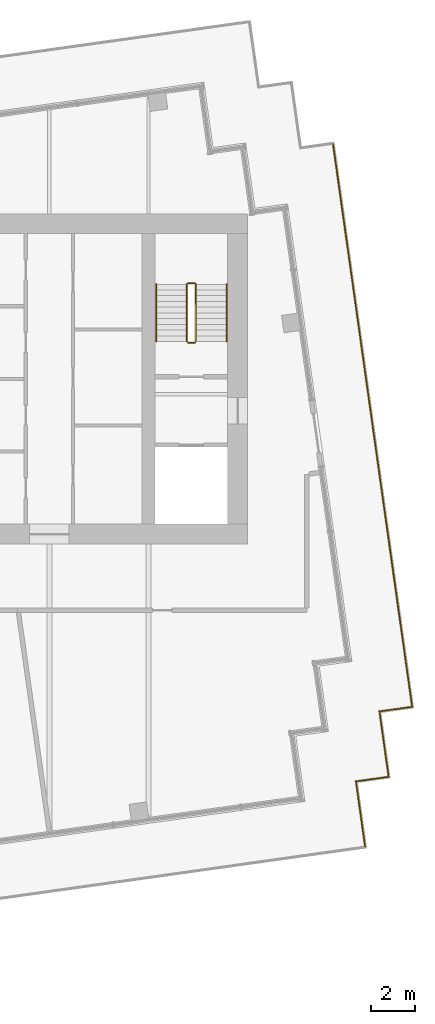
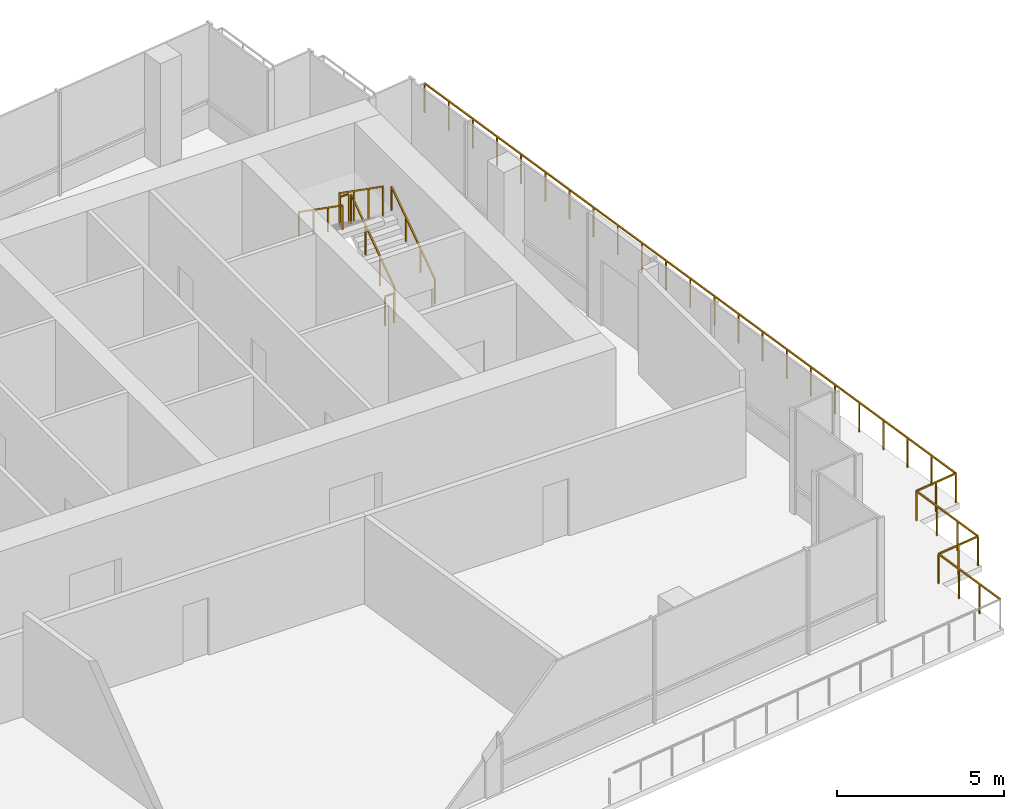
# One storey, part 11 of 12: 11 railings.
"""IFC4 building model written with IfcOpenShell, lengths in metres."""

import ifcopenshell
import ifcopenshell.guid

model = None  # the IFC model being written
_history = None  # IfcOwnerHistory: only IFC2X3 demands one
_inside = {}  # id of a spatial element -> (the spatial element, [elements in it])
_under = {}  # id of a project, library or spatial element -> (it, [spatial elements below it])
_declared = {}  # id of a project -> (the project, [libraries it declares])
_typed = {}  # id of a type object -> (the type object, [elements of that type])
_made_of = {}  # id of a material, layer set ... -> (it, [elements and type objects made of it])


def new_model(schema):
    """Start an empty IFC model of exactly this schema.

    Asked for "IFC4X3", IfcOpenShell would pick the latest addendum, in which some entities
    have other attributes; the version numbers below select the first issue.
    IFC2X3 requires an IfcOwnerHistory on every rooted entity: one is made here for all.
    """
    global model, _history
    if schema == "IFC4X3":
        model = ifcopenshell.file(schema_version=(4, 3, 0, 0))
    else:
        model = ifcopenshell.file(schema=schema)
    _inside.clear()
    _under.clear()
    _declared.clear()
    _typed.clear()
    _made_of.clear()
    _history = None
    if model.schema == "IFC2X3":
        org = make("IfcOrganization", Name="unknown")
        user = make(
            "IfcPersonAndOrganization",
            ThePerson=make("IfcPerson", FamilyName="unknown"),
            TheOrganization=org,
        )
        app = make(
            "IfcApplication",
            ApplicationDeveloper=org,
            Version="unknown",
            ApplicationFullName="unknown",
            ApplicationIdentifier="unknown",
        )
        _history = make(
            "IfcOwnerHistory",
            OwningUser=user,
            OwningApplication=app,
            ChangeAction="ADDED",
            CreationDate=0,
        )
    return model


def make(cls, **values):
    """One entity of the class cls with the attributes given. An attribute that is None is left unset."""
    return model.create_entity(
        cls, **{name: value for name, value in values.items() if value is not None}
    )


def rooted(cls, **values):
    """An entity with a GlobalId (a new one), such as an element, a storey or a relation."""
    return make(cls, GlobalId=ifcopenshell.guid.new(), OwnerHistory=_history, **values)


def si_unit(unit_type, name, prefix=None):
    """IfcSIUnit, for example si_unit("LENGTHUNIT", "METRE", prefix="MILLI")."""
    return make("IfcSIUnit", UnitType=unit_type, Prefix=prefix, Name=name)


def assignment(units):
    """IfcUnitAssignment: the units of a project."""
    return None if units is None else make("IfcUnitAssignment", Units=units)


def point(xyz):
    """IfcCartesianPoint."""
    return None if xyz is None else make("IfcCartesianPoint", Coordinates=xyz)


def direction(xyz):
    """IfcDirection."""
    return None if xyz is None else make("IfcDirection", DirectionRatios=xyz)


def frame(location, z_axis=None, x_axis=None):
    """IfcAxis2Placement3D, a coordinate frame: its origin and axes. An axis left out is left unset."""
    return make(
        "IfcAxis2Placement3D",
        Location=point(location),
        Axis=direction(z_axis),
        RefDirection=direction(x_axis),
    )


def frame_2d(location, x_axis=None):
    """IfcAxis2Placement2D, a coordinate frame in the plane: its origin and x axis."""
    return make(
        "IfcAxis2Placement2D", Location=point(location), RefDirection=direction(x_axis)
    )


def origin():
    """The frame at (0, 0, 0) with its axes left unset."""
    return frame((0.0, 0.0, 0.0))


def origin_2d():
    """The frame at (0, 0) in the plane with its x axis left unset."""
    return frame_2d((0.0, 0.0))


def place(relative_to, where):
    """IfcLocalPlacement: puts the frame where relative to a parent placement (None: the world)."""
    return make(
        "IfcLocalPlacement", PlacementRelTo=relative_to, RelativePlacement=where
    )


def context(
    kind, dimensions, precision=None, world=None, true_north=None, identifier=None
):
    """IfcGeometricRepresentationContext, for example the 3D "Model" context."""
    return make(
        "IfcGeometricRepresentationContext",
        ContextIdentifier=identifier,
        ContextType=kind,
        CoordinateSpaceDimension=dimensions,
        Precision=precision,
        WorldCoordinateSystem=world,
        TrueNorth=true_north,
    )


def subcontext(parent, identifier, kind, view, scale=None):
    """IfcGeometricRepresentationSubContext, for example "Body" below "Model"."""
    return make(
        "IfcGeometricRepresentationSubContext",
        ContextIdentifier=identifier,
        ContextType=kind,
        ParentContext=parent,
        TargetScale=scale,
        TargetView=view,
    )


def project(units=None, contexts=None):
    """IfcProject with its units and contexts."""
    return rooted(
        "IfcProject",
        Name="project",
        RepresentationContexts=contexts,
        UnitsInContext=assignment(units),
    )


def spatial(cls, under=None, at=None, **own):
    """A site, building, storey or space (cls), placed at a placement, below another one or the project."""
    s = rooted(cls, ObjectPlacement=at, **own)
    if under is not None:
        _under.setdefault(under.id(), (under, []))[1].append(s)
    return s


def profile(cls, at=None, kind="AREA", **sizes):
    """A parametric profile (cls). Its sizes go by their IFC names, for example OverallWidth=200.0."""
    return make(cls, ProfileType=kind, Position=at, **sizes)


def rectangle(**sizes):
    """IfcRectangleProfileDef."""
    return profile("IfcRectangleProfileDef", **sizes)


def extrude(swept, where, along, depth):
    """IfcExtrudedAreaSolid: the profile swept, set in the frame where, extruded along a direction by depth."""
    return make(
        "IfcExtrudedAreaSolid",
        SweptArea=swept,
        Position=where,
        ExtrudedDirection=direction(along),
        Depth=depth,
    )


def shape(context_of_items, identifier, shape_type, items):
    """IfcShapeRepresentation: the items that make up one representation, for example the "Body"."""
    return make(
        "IfcShapeRepresentation",
        ContextOfItems=context_of_items,
        RepresentationIdentifier=identifier,
        RepresentationType=shape_type,
        Items=items,
    )


def material(Name=None, Category=None):
    """IfcMaterial."""
    return make("IfcMaterial", Name=Name, Category=Category)


def made_of(thing, what):
    """Note that an element or type object is made of a material, layer set ...; save() writes the relation."""
    if what is not None:
        _made_of.setdefault(what.id(), (what, []))[1].append(thing)
    return thing


def type_object(cls, material=None, **own):
    """A type object (cls), such as IfcWallType, which elements share."""
    return made_of(rooted(cls, **own), material)


def element(
    cls,
    number,
    at=None,
    inside=None,
    cuts=None,
    type_object=None,
    material=None,
    context=None,
    identifier="Body",
    shape_type=None,
    held_by="IfcProductDefinitionShape",
    body=None,
    shapes=None,
    **own,
):
    """One element of the class cls, such as IfcWall. Its Tag is "e" and its number.

    at: its placement. inside: the storey or other place that contains it. cuts: it is an
    opening in that element (IfcRelVoidsElement). A single representation is given by context,
    identifier, shape_type and body (its items); several are given by shapes. held_by: the class
    of the entity that holds the representations. save() writes the other relations.
    """
    e = rooted(cls, Tag="e%d" % number, ObjectPlacement=at, **own)
    if body is not None:
        shapes = [shape(context, identifier, shape_type, body)]
    if shapes is not None:
        e.Representation = make(held_by, Representations=shapes)
    if inside is not None:
        _inside.setdefault(inside.id(), (inside, []))[1].append(e)
    if cuts is not None:
        rooted(
            "IfcRelVoidsElement", RelatingBuildingElement=cuts, RelatedOpeningElement=e
        )
    if type_object is not None:
        _typed.setdefault(type_object.id(), (type_object, []))[1].append(e)
    return made_of(e, material)


def aggregate(whole, parts):
    """IfcRelAggregates: a whole, such as a stair, and the parts it consists of."""
    return rooted("IfcRelAggregates", RelatingObject=whole, RelatedObjects=parts)


def save(model, path):
    """Write the relations noted so far, then the file.

    IfcRelAggregates (storeys below a building ...), IfcRelContainedInSpatialStructure (elements
    in a storey), IfcRelDefinesByType, IfcRelAssociatesMaterial and IfcRelDeclares: one each for
    every whole, place, type object, material and project.
    """
    for whole, parts in _under.values():
        aggregate(whole, parts)
    for where, things in _inside.values():
        rooted(
            "IfcRelContainedInSpatialStructure",
            RelatedElements=things,
            RelatingStructure=where,
        )
    for kind, things in _typed.values():
        rooted("IfcRelDefinesByType", RelatedObjects=things, RelatingType=kind)
    for what, things in _made_of.values():
        rooted("IfcRelAssociatesMaterial", RelatedObjects=things, RelatingMaterial=what)
    for by, libraries in _declared.values():
        rooted("IfcRelDeclares", RelatingContext=by, RelatedDefinitions=libraries)
    model.write(path)


model = new_model("IFC4")

# Units and contexts
model_context = context("Model", 3, precision=1e-05, world=origin(), true_north=direction((0.0, 1.0)))
body_context = subcontext(model_context, "Body", "Model", "MODEL_VIEW")
ifc_project = project(units=[si_unit("LENGTHUNIT", "METRE"), si_unit("AREAUNIT", "SQUARE_METRE"), si_unit("VOLUMEUNIT", "CUBIC_METRE"), si_unit("PLANEANGLEUNIT", "RADIAN"), si_unit("MASSUNIT", "GRAM", prefix="KILO")], contexts=[model_context])

# Site, building, storey
site_placement = place(None, origin())
site = spatial("IfcSite", under=ifc_project, at=site_placement, CompositionType="ELEMENT")
building_placement = place(site_placement, origin())
building = spatial("IfcBuilding", under=site, at=building_placement, Name="Rattan Terrace Tower", CompositionType="ELEMENT")
storey_placement = place(building_placement, frame((0.0, 0.0, 292.300048828125)))
storey = spatial("IfcBuildingStorey", under=building, at=storey_placement, Name="C01", CompositionType="ELEMENT", Elevation=292.300048828125)

# Railings
ifc_material_1 = material(Name="Powder-coated steel guard", Category="steel")
railing_type_1 = type_object("IfcRailingType", Name="Core stair guard", PredefinedType="GUARDRAIL", material=ifc_material_1)
railing_1_placement = place(storey_placement, frame((15.64990234375, 1.699951171875, 0.181884765625)))
element("IfcRailing", 1, at=railing_1_placement, inside=storey, type_object=railing_type_1, Name="C01 S2 stair guard 1", PredefinedType="GUARDRAIL", context=body_context, shape_type="SweptSolid", body=[
    extrude(rectangle(XDim=0.048095703125, YDim=0.048095703125, at=origin_2d()), frame((0.0, 0.0, 1.076171875), z_axis=(0.0, 0.819521025635, 0.573049115296), x_axis=(-1.0, 0.0, 0.0)), (0.0, 0.0, 1.0), 3.172607421875),
    extrude(rectangle(XDim=0.0419921875, YDim=0.0419921875, at=origin_2d()), origin(), (0.0, 0.0, 1.0), 1.052001953125),
    extrude(rectangle(XDim=0.0419921875, YDim=0.0419921875, at=origin_2d()), frame((0.0, 0.86669921875, 0.60595703125)), (0.0, 0.0, 1.0), 1.052001953125),
    extrude(rectangle(XDim=0.0419921875, YDim=0.0419921875, at=origin_2d()), frame((0.0, 1.7333984375, 1.212158203125)), (0.0, 0.0, 1.0), 1.052001953125),
    extrude(rectangle(XDim=0.0419921875, YDim=0.0419921875, at=origin_2d()), frame((0.0, 2.60009765625, 1.818115234375)), (0.0, 0.0, 1.0), 1.052001953125),
])
railing_2_placement = place(storey_placement, frame((15.60009765625, 4.35009765625, 2.0)))
element("IfcRailing", 2, at=railing_2_placement, inside=storey, type_object=railing_type_1, Name="C01 S2 stair guard 2", PredefinedType="GUARDRAIL", context=body_context, shape_type="SweptSolid", body=[
    extrude(rectangle(XDim=0.048095703125, YDim=0.048095703125, at=origin_2d()), frame((0.0, 0.0, 1.076171875), z_axis=(-1.0, 0.0, 0.0), x_axis=(0.0, -1.0, 0.0)), (0.0, 0.0, 1.0), 0.300048828125),
    extrude(rectangle(XDim=0.0419921875, YDim=0.0419921875, at=origin_2d()), origin(), (0.0, 0.0, 1.0), 1.052001953125),
    extrude(rectangle(XDim=0.0419921875, YDim=0.0419921875, at=origin_2d()), frame((-0.300048828125, 0.0, 0.0)), (0.0, 0.0, 1.0), 1.052001953125),
])
railing_3_placement = place(storey_placement, frame((15.25, 4.300048828125, 2.181884765625)))
element("IfcRailing", 3, at=railing_3_placement, inside=storey, type_object=railing_type_1, Name="C01 S2 stair guard 3", PredefinedType="GUARDRAIL", context=body_context, shape_type="SweptSolid", body=[
    extrude(rectangle(XDim=0.048095703125, YDim=0.048095703125, at=origin_2d()), frame((0.0, 0.0, 1.076171875), z_axis=(0.0, -0.819521025635, 0.573049115296), x_axis=(1.0, 0.0, 0.0)), (0.0, 0.0, 1.0), 3.172607421875),
    extrude(rectangle(XDim=0.0419921875, YDim=0.0419921875, at=origin_2d()), origin(), (0.0, 0.0, 1.0), 1.052001953125),
    extrude(rectangle(XDim=0.0419921875, YDim=0.0419921875, at=origin_2d()), frame((0.0, -0.86669921875, 0.60595703125)), (0.0, 0.0, 1.0), 1.052001953125),
    extrude(rectangle(XDim=0.0419921875, YDim=0.0419921875, at=origin_2d()), frame((0.0, -1.7333984375, 1.212158203125)), (0.0, 0.0, 1.0), 1.052001953125),
    extrude(rectangle(XDim=0.0419921875, YDim=0.0419921875, at=origin_2d()), frame((0.0, -2.60009765625, 1.818115234375)), (0.0, 0.0, 1.0), 1.052001953125),
])
railing_4_placement = place(storey_placement, frame((15.60009765625, 1.64990234375, 0.0)))
element("IfcRailing", 4, at=railing_4_placement, inside=storey, type_object=railing_type_1, Name="C01 S2 stair guard 4", PredefinedType="GUARDRAIL", context=body_context, shape_type="SweptSolid", body=[
    extrude(rectangle(XDim=0.048095703125, YDim=0.048095703125, at=origin_2d()), frame((0.0, 0.0, 1.076171875), z_axis=(-1.0, 0.0, 0.0), x_axis=(0.0, -1.0, 0.0)), (0.0, 0.0, 1.0), 0.300048828125),
    extrude(rectangle(XDim=0.0419921875, YDim=0.0419921875, at=origin_2d()), origin(), (0.0, 0.0, 1.0), 1.052001953125),
    extrude(rectangle(XDim=0.0419921875, YDim=0.0419921875, at=origin_2d()), frame((-0.300048828125, 0.0, 0.0)), (0.0, 0.0, 1.0), 1.052001953125),
])
ifc_material_2 = material(Name="Powder-coated steel handrail", Category="steel")
railing_type_2 = type_object("IfcRailingType", Name="Core stair handrail", PredefinedType="HANDRAIL", material=ifc_material_2)
railing_5_placement = place(storey_placement, frame((17.050048828125, 1.699951171875, 0.181884765625)))
element("IfcRailing", 5, at=railing_5_placement, inside=storey, type_object=railing_type_2, Name="C01 S2 stair handrail 1", PredefinedType="HANDRAIL", context=body_context, shape_type="SweptSolid", body=[
    extrude(rectangle(XDim=0.048095703125, YDim=0.048095703125, at=origin_2d()), frame((0.0, 0.0, 0.8759765625), z_axis=(0.0, 0.819521025635, 0.573049115296), x_axis=(-1.0, 0.0, 0.0)), (0.0, 0.0, 1.0), 3.172607421875),
    extrude(rectangle(XDim=0.0419921875, YDim=0.0419921875, at=origin_2d()), origin(), (0.0, 0.0, 1.0), 0.851806640625),
    extrude(rectangle(XDim=0.0419921875, YDim=0.0419921875, at=origin_2d()), frame((0.0, 0.86669921875, 0.60595703125)), (0.0, 0.0, 1.0), 0.851806640625),
    extrude(rectangle(XDim=0.0419921875, YDim=0.0419921875, at=origin_2d()), frame((0.0, 1.7333984375, 1.212158203125)), (0.0, 0.0, 1.0), 0.851806640625),
    extrude(rectangle(XDim=0.0419921875, YDim=0.0419921875, at=origin_2d()), frame((0.0, 2.60009765625, 1.818115234375)), (0.0, 0.0, 1.0), 0.851806640625),
])
railing_6_placement = place(storey_placement, frame((13.85009765625, 4.300048828125, 2.181884765625)))
element("IfcRailing", 6, at=railing_6_placement, inside=storey, type_object=railing_type_2, Name="C01 S2 stair handrail 2", PredefinedType="HANDRAIL", context=body_context, shape_type="SweptSolid", body=[
    extrude(rectangle(XDim=0.048095703125, YDim=0.048095703125, at=origin_2d()), frame((0.0, 0.0, 0.8759765625), z_axis=(0.0, -0.819521025635, 0.573049115296), x_axis=(1.0, 0.0, 0.0)), (0.0, 0.0, 1.0), 3.172607421875),
    extrude(rectangle(XDim=0.0419921875, YDim=0.0419921875, at=origin_2d()), origin(), (0.0, 0.0, 1.0), 0.851806640625),
    extrude(rectangle(XDim=0.0419921875, YDim=0.0419921875, at=origin_2d()), frame((0.0, -0.86669921875, 0.60595703125)), (0.0, 0.0, 1.0), 0.851806640625),
    extrude(rectangle(XDim=0.0419921875, YDim=0.0419921875, at=origin_2d()), frame((0.0, -1.7333984375, 1.212158203125)), (0.0, 0.0, 1.0), 0.851806640625),
    extrude(rectangle(XDim=0.0419921875, YDim=0.0419921875, at=origin_2d()), frame((0.0, -2.60009765625, 1.818115234375)), (0.0, 0.0, 1.0), 0.851806640625),
])
ifc_material_3 = material(Name="Stainless steel 316", Category="steel")
railing_type_3 = type_object("IfcRailingType", Name="Facade Guard 1100", PredefinedType="GUARDRAIL", material=ifc_material_3)
railing_7_placement = place(storey_placement, frame((21.884033203125, 10.693115234375, 0.0)))
element("IfcRailing", 7, at=railing_7_placement, inside=storey, type_object=railing_type_3, Name="Terrace guard C01-1-16", PredefinedType="GUARDRAIL", context=body_context, shape_type="SweptSolid", body=[
    extrude(rectangle(XDim=0.048095703125, YDim=0.048095703125, at=origin_2d()), frame((0.0, 0.0, 1.076171875), z_axis=(0.139196202933, -0.990264821696, 0.0), x_axis=(0.990264821696, 0.139196202933, 0.0)), (0.0, 0.0, 1.0), 25.840576171875),
    extrude(rectangle(XDim=0.0419921875, YDim=0.0419921875, at=origin_2d()), origin(), (0.0, 0.0, 1.0), 1.052001953125),
    extrude(rectangle(XDim=0.0419921875, YDim=0.0419921875, at=origin_2d()), frame((0.16357421875, -1.1630859375, 0.0)), (0.0, 0.0, 1.0), 1.052001953125),
    extrude(rectangle(XDim=0.0419921875, YDim=0.0419921875, at=origin_2d()), frame((0.326904296875, -2.326171875, 0.0)), (0.0, 0.0, 1.0), 1.052001953125),
    extrude(rectangle(XDim=0.0419921875, YDim=0.0419921875, at=origin_2d()), frame((0.490478515625, -3.489501953125, 0.0)), (0.0, 0.0, 1.0), 1.052001953125),
    extrude(rectangle(XDim=0.0419921875, YDim=0.0419921875, at=origin_2d()), frame((0.654052734375, -4.652587890625, 0.0)), (0.0, 0.0, 1.0), 1.052001953125),
    extrude(rectangle(XDim=0.0419921875, YDim=0.0419921875, at=origin_2d()), frame((0.8173828125, -5.815673828125, 0.0)), (0.0, 0.0, 1.0), 1.052001953125),
    extrude(rectangle(XDim=0.0419921875, YDim=0.0419921875, at=origin_2d()), frame((0.98095703125, -6.978759765625, 0.0)), (0.0, 0.0, 1.0), 1.052001953125),
    extrude(rectangle(XDim=0.0419921875, YDim=0.0419921875, at=origin_2d()), frame((1.14453125, -8.14208984375, 0.0)), (0.0, 0.0, 1.0), 1.052001953125),
    extrude(rectangle(XDim=0.0419921875, YDim=0.0419921875, at=origin_2d()), frame((1.307861328125, -9.30517578125, 0.0)), (0.0, 0.0, 1.0), 1.052001953125),
    extrude(rectangle(XDim=0.0419921875, YDim=0.0419921875, at=origin_2d()), frame((1.471435546875, -10.46826171875, 0.0)), (0.0, 0.0, 1.0), 1.052001953125),
    extrude(rectangle(XDim=0.0419921875, YDim=0.0419921875, at=origin_2d()), frame((1.635009765625, -11.63134765625, 0.0)), (0.0, 0.0, 1.0), 1.052001953125),
    extrude(rectangle(XDim=0.0419921875, YDim=0.0419921875, at=origin_2d()), frame((1.79833984375, -12.79443359375, 0.0)), (0.0, 0.0, 1.0), 1.052001953125),
    extrude(rectangle(XDim=0.0419921875, YDim=0.0419921875, at=origin_2d()), frame((1.9619140625, -13.957763671875, 0.0)), (0.0, 0.0, 1.0), 1.052001953125),
    extrude(rectangle(XDim=0.0419921875, YDim=0.0419921875, at=origin_2d()), frame((2.12548828125, -15.120849609375, 0.0)), (0.0, 0.0, 1.0), 1.052001953125),
    extrude(rectangle(XDim=0.0419921875, YDim=0.0419921875, at=origin_2d()), frame((2.2890625, -16.283935546875, 0.0)), (0.0, 0.0, 1.0), 1.052001953125),
    extrude(rectangle(XDim=0.0419921875, YDim=0.0419921875, at=origin_2d()), frame((2.452392578125, -17.447021484375, 0.0)), (0.0, 0.0, 1.0), 1.052001953125),
    extrude(rectangle(XDim=0.0419921875, YDim=0.0419921875, at=origin_2d()), frame((2.615966796875, -18.6103515625, 0.0)), (0.0, 0.0, 1.0), 1.052001953125),
    extrude(rectangle(XDim=0.0419921875, YDim=0.0419921875, at=origin_2d()), frame((2.779541015625, -19.7734375, 0.0)), (0.0, 0.0, 1.0), 1.052001953125),
    extrude(rectangle(XDim=0.0419921875, YDim=0.0419921875, at=origin_2d()), frame((2.94287109375, -20.9365234375, 0.0)), (0.0, 0.0, 1.0), 1.052001953125),
    extrude(rectangle(XDim=0.0419921875, YDim=0.0419921875, at=origin_2d()), frame((3.1064453125, -22.099609375, 0.0)), (0.0, 0.0, 1.0), 1.052001953125),
    extrude(rectangle(XDim=0.0419921875, YDim=0.0419921875, at=origin_2d()), frame((3.27001953125, -23.262939453125, 0.0)), (0.0, 0.0, 1.0), 1.052001953125),
    extrude(rectangle(XDim=0.0419921875, YDim=0.0419921875, at=origin_2d()), frame((3.433349609375, -24.426025390625, 0.0)), (0.0, 0.0, 1.0), 1.052001953125),
])
railing_8_placement = place(storey_placement, frame((25.48095703125, -14.89599609375, 0.0)))
element("IfcRailing", 8, at=railing_8_placement, inside=storey, type_object=railing_type_3, Name="Terrace guard C01-1-17", PredefinedType="GUARDRAIL", context=body_context, shape_type="SweptSolid", body=[
    extrude(rectangle(XDim=0.048095703125, YDim=0.048095703125, at=origin_2d()), frame((0.0, 0.0, 1.076171875), z_axis=(-0.990253072683, -0.139279761784, 0.0), x_axis=(0.139279761784, -0.990253072683, 0.0)), (0.0, 0.0, 1.0), 1.50048828125),
    extrude(rectangle(XDim=0.0419921875, YDim=0.0419921875, at=origin_2d()), origin(), (0.0, 0.0, 1.0), 1.052001953125),
    extrude(rectangle(XDim=0.0419921875, YDim=0.0419921875, at=origin_2d()), frame((-0.742919921875, -0.1044921875, 0.0)), (0.0, 0.0, 1.0), 1.052001953125),
])
railing_9_placement = place(storey_placement, frame((23.9951171875, -15.10498046875, 0.0)))
element("IfcRailing", 9, at=railing_9_placement, inside=storey, type_object=railing_type_3, Name="Terrace guard C01-1-18", PredefinedType="GUARDRAIL", context=body_context, shape_type="SweptSolid", body=[
    extrude(rectangle(XDim=0.048095703125, YDim=0.048095703125, at=origin_2d()), frame((0.0, 0.0, 1.076171875), z_axis=(0.139358350296, -0.990242015975, 0.0), x_axis=(0.990242015975, 0.139358350296, 0.0)), (0.0, 0.0, 1.0), 2.999267578125),
    extrude(rectangle(XDim=0.0419921875, YDim=0.0419921875, at=origin_2d()), origin(), (0.0, 0.0, 1.0), 1.052001953125),
    extrude(rectangle(XDim=0.0419921875, YDim=0.0419921875, at=origin_2d()), frame((0.139404296875, -0.989990234375, 0.0)), (0.0, 0.0, 1.0), 1.052001953125),
    extrude(rectangle(XDim=0.0419921875, YDim=0.0419921875, at=origin_2d()), frame((0.278564453125, -1.97998046875, 0.0)), (0.0, 0.0, 1.0), 1.052001953125),
])
railing_10_placement = place(storey_placement, frame((24.4130859375, -18.074951171875, 0.0)))
element("IfcRailing", 10, at=railing_10_placement, inside=storey, type_object=railing_type_3, Name="Terrace guard C01-1-19", PredefinedType="GUARDRAIL", context=body_context, shape_type="SweptSolid", body=[
    extrude(rectangle(XDim=0.048095703125, YDim=0.048095703125, at=origin_2d()), frame((0.0, 0.0, 1.076171875), z_axis=(-0.990243596651, -0.13934711799, 0.0), x_axis=(0.13934711799, -0.990243596651, 0.0)), (0.0, 0.0, 1.0), 1.499755859375),
    extrude(rectangle(XDim=0.0419921875, YDim=0.0419921875, at=origin_2d()), origin(), (0.0, 0.0, 1.0), 1.052001953125),
    extrude(rectangle(XDim=0.0419921875, YDim=0.0419921875, at=origin_2d()), frame((-0.74267578125, -0.1044921875, 0.0)), (0.0, 0.0, 1.0), 1.052001953125),
])
railing_11_placement = place(storey_placement, frame((22.927978515625, -18.283935546875, 0.0)))
element("IfcRailing", 11, at=railing_11_placement, inside=storey, type_object=railing_type_3, Name="Terrace guard C01-1-20", PredefinedType="GUARDRAIL", context=body_context, shape_type="SweptSolid", body=[
    extrude(rectangle(XDim=0.048095703125, YDim=0.048095703125, at=origin_2d()), frame((0.0, 0.0, 1.076171875), z_axis=(0.138994228812, -0.990293191109, 0.0), x_axis=(0.990293191109, 0.138994228812, 0.0)), (0.0, 0.0, 1.0), 3.0),
    extrude(rectangle(XDim=0.0419921875, YDim=0.0419921875, at=origin_2d()), origin(), (0.0, 0.0, 1.0), 1.052001953125),
    extrude(rectangle(XDim=0.0419921875, YDim=0.0419921875, at=origin_2d()), frame((0.138916015625, -0.990234375, 0.0)), (0.0, 0.0, 1.0), 1.052001953125),
    extrude(rectangle(XDim=0.0419921875, YDim=0.0419921875, at=origin_2d()), frame((0.278076171875, -1.980712890625, 0.0)), (0.0, 0.0, 1.0), 1.052001953125),
])

save(model, "model.ifc")
